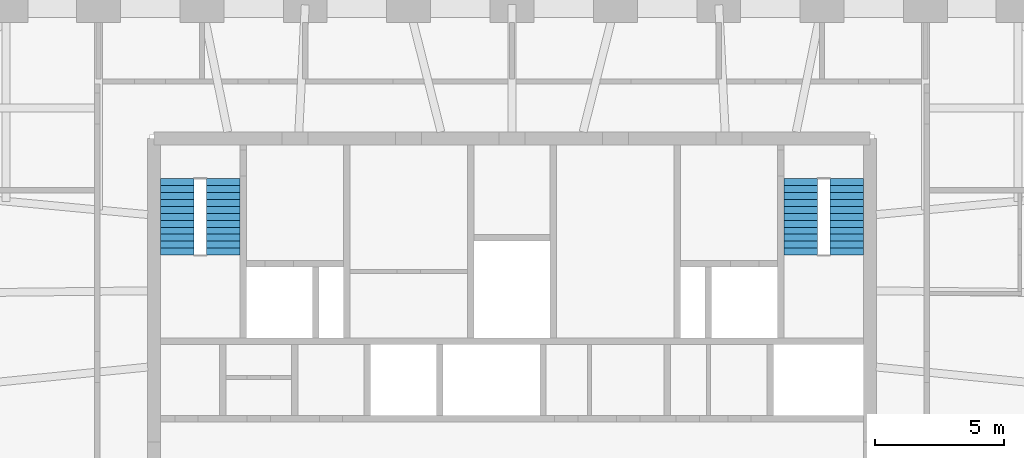
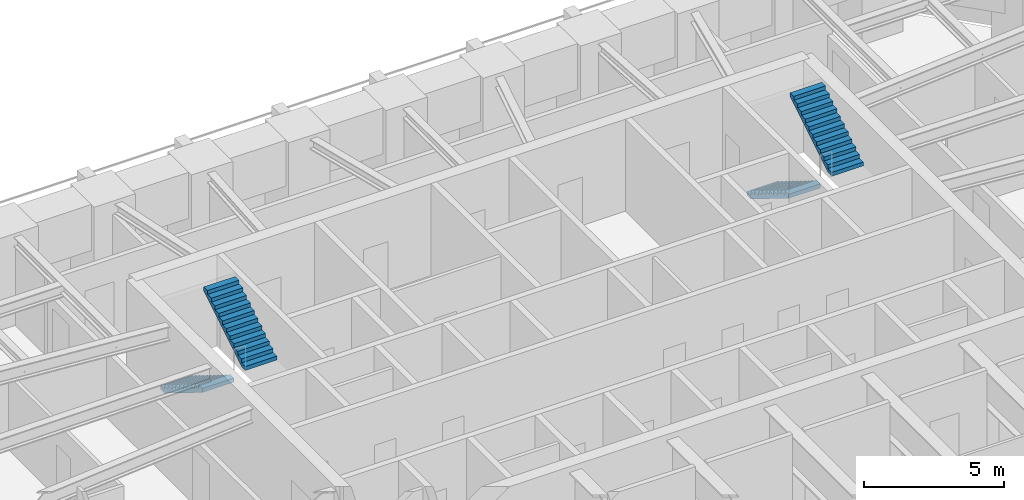
# One storey, part 9 of 12: 4 stair flights, 2 elements without a shape of their own.
"""IFC4 building model written with IfcOpenShell, lengths in metres."""

from ifc_helpers import new_model, si_unit, direction, frame, origin, place, context, subcontext, project, spatial, polyline, outline, extrude, material, type_object, element, aggregate, save


model = new_model("IFC4")

# Units and contexts
model_context = context("Model", 3, precision=1e-05, world=origin(), true_north=direction((0.0, 1.0)))
body_context = subcontext(model_context, "Body", "Model", "MODEL_VIEW")
ifc_project = project(units=[si_unit("LENGTHUNIT", "METRE"), si_unit("AREAUNIT", "SQUARE_METRE"), si_unit("VOLUMEUNIT", "CUBIC_METRE"), si_unit("PLANEANGLEUNIT", "RADIAN"), si_unit("MASSUNIT", "GRAM", prefix="KILO")], contexts=[model_context])

# Site, building, storey
site_placement = place(None, origin())
site = spatial("IfcSite", under=ifc_project, at=site_placement, CompositionType="ELEMENT")
building_placement = place(site_placement, origin())
building = spatial("IfcBuilding", under=site, at=building_placement, Name="Isbrekke Arena Tower", CompositionType="ELEMENT")
storey_placement = place(building_placement, frame((0.0, 0.0, 292.0)))
storey = spatial("IfcBuildingStorey", under=building, at=storey_placement, Name="L68", CompositionType="ELEMENT", Elevation=292.0)

# Stair, stair flights
ifc_material_1 = material(Name="Concrete B45 (C45/55) precast", Category="concrete")
stair_type = type_object("IfcStairType", Name="ST40 STAIR 1300 WIDE, 24 RISERS 167", PredefinedType="HALF_TURN_STAIR", material=ifc_material_1)
stair_1_placement = place(storey_placement, origin())
stair_1 = element("IfcStair", 1, at=stair_1_placement, inside=storey, type_object=stair_type, Name="ST1 stair L68", PredefinedType="HALF_TURN_STAIR")
ifc_material_2 = material(Name="Concrete B45 (C45/55) precast", Category="concrete")
stair_flight_type = type_object("IfcStairFlightType", Name="SF 1300 FLIGHT", PredefinedType="STRAIGHT", material=ifc_material_2)
stair_flight_1_placement = place(storey_placement, frame((-12.949951171875, 22.300048828125, 0.0), z_axis=(0.0, 0.0, 1.0), x_axis=(0.0, -1.0, 0.0)))
stair_flight_1 = element("IfcStairFlight", 2, at=stair_flight_1_placement, type_object=stair_flight_type, Name="ST1 flight 1", NumberOfRisers=12, NumberOfTreads=11, PredefinedType="STRAIGHT", RiserHeight=0.166666667, TreadLength=0.27, context=body_context, shape_type="SweptSolid", body=[
    extrude(outline(polyline([(0.0, 0.0), (0.0, 0.166748046875), (0.27001953125, 0.166748046875), (0.27001953125, 0.333251953125), (0.5400390625, 0.333251953125), (0.5400390625, 0.5), (0.81005859375, 0.5), (0.81005859375, 0.666748046875), (1.080078125, 0.666748046875), (1.080078125, 0.833251953125), (1.35009765625, 0.833251953125), (1.35009765625, 1.0), (1.6201171875, 1.0), (1.6201171875, 1.166748046875), (1.889892578125, 1.166748046875), (1.889892578125, 1.333251953125), (2.159912109375, 1.333251953125), (2.159912109375, 1.5), (2.429931640625, 1.5), (2.429931640625, 1.666748046875), (2.699951171875, 1.666748046875), (2.699951171875, 1.833251953125), (2.969970703125, 1.833251953125), (2.969970703125, 2.0), (2.969970703125, 1.6572265625), (0.285400390625, 0.0), (0.0, 0.0)])), frame((0.0, 0.64990234375, 0.0), z_axis=(0.0, -1.0, 0.0), x_axis=(1.0, 0.0, 0.0)), (0.0, 0.0, 1.0), 1.300048828125),
])
stair_flight_2_placement = place(storey_placement, frame((-11.175048828125, 19.330078125, 2.0), z_axis=(0.0, 0.0, 1.0), x_axis=(0.0, 1.0, 0.0)))
stair_flight_2 = element("IfcStairFlight", 3, at=stair_flight_2_placement, type_object=stair_flight_type, Name="ST1 flight 2", NumberOfRisers=12, NumberOfTreads=11, PredefinedType="STRAIGHT", RiserHeight=0.166666667, TreadLength=0.27, context=body_context, shape_type="SweptSolid", body=[
    extrude(outline(polyline([(0.0, 0.0), (0.0, 0.166748046875), (0.27001953125, 0.166748046875), (0.27001953125, 0.333251953125), (0.5400390625, 0.333251953125), (0.5400390625, 0.5), (0.81005859375, 0.5), (0.81005859375, 0.666748046875), (1.080078125, 0.666748046875), (1.080078125, 0.833251953125), (1.35009765625, 0.833251953125), (1.35009765625, 1.0), (1.6201171875, 1.0), (1.6201171875, 1.166748046875), (1.889892578125, 1.166748046875), (1.889892578125, 1.333251953125), (2.159912109375, 1.333251953125), (2.159912109375, 1.5), (2.429931640625, 1.5), (2.429931640625, 1.666748046875), (2.699951171875, 1.666748046875), (2.699951171875, 1.833251953125), (2.969970703125, 1.833251953125), (2.969970703125, 2.0), (2.969970703125, 1.6572265625), (0.285400390625, 0.0), (0.0, 0.0)])), frame((0.0, 0.64990234375, 0.0), z_axis=(0.0, -1.0, 0.0), x_axis=(1.0, 0.0, 0.0)), (0.0, 0.0, 1.0), 1.300048828125),
])
aggregate(stair_1, [stair_flight_1, stair_flight_2])

stair_2_placement = place(storey_placement, origin())
stair_2 = element("IfcStair", 4, at=stair_2_placement, inside=storey, type_object=stair_type, Name="ST2 stair L68", PredefinedType="HALF_TURN_STAIR")
stair_flight_3_placement = place(storey_placement, frame((11.175048828125, 22.300048828125, 0.0), z_axis=(0.0, 0.0, 1.0), x_axis=(0.0, -1.0, 0.0)))
stair_flight_3 = element("IfcStairFlight", 5, at=stair_flight_3_placement, type_object=stair_flight_type, Name="ST2 flight 1", NumberOfRisers=12, NumberOfTreads=11, PredefinedType="STRAIGHT", RiserHeight=0.166666667, TreadLength=0.27, context=body_context, shape_type="SweptSolid", body=[
    extrude(outline(polyline([(0.0, 0.0), (0.0, 0.166748046875), (0.27001953125, 0.166748046875), (0.27001953125, 0.333251953125), (0.5400390625, 0.333251953125), (0.5400390625, 0.5), (0.81005859375, 0.5), (0.81005859375, 0.666748046875), (1.080078125, 0.666748046875), (1.080078125, 0.833251953125), (1.35009765625, 0.833251953125), (1.35009765625, 1.0), (1.6201171875, 1.0), (1.6201171875, 1.166748046875), (1.889892578125, 1.166748046875), (1.889892578125, 1.333251953125), (2.159912109375, 1.333251953125), (2.159912109375, 1.5), (2.429931640625, 1.5), (2.429931640625, 1.666748046875), (2.699951171875, 1.666748046875), (2.699951171875, 1.833251953125), (2.969970703125, 1.833251953125), (2.969970703125, 2.0), (2.969970703125, 1.6572265625), (0.285400390625, 0.0), (0.0, 0.0)])), frame((0.0, 0.64990234375, 0.0), z_axis=(0.0, -1.0, 0.0), x_axis=(1.0, 0.0, 0.0)), (0.0, 0.0, 1.0), 1.300048828125),
])
stair_flight_4_placement = place(storey_placement, frame((12.949951171875, 19.330078125, 2.0), z_axis=(0.0, 0.0, 1.0), x_axis=(0.0, 1.0, 0.0)))
stair_flight_4 = element("IfcStairFlight", 6, at=stair_flight_4_placement, type_object=stair_flight_type, Name="ST2 flight 2", NumberOfRisers=12, NumberOfTreads=11, PredefinedType="STRAIGHT", RiserHeight=0.166666667, TreadLength=0.27, context=body_context, shape_type="SweptSolid", body=[
    extrude(outline(polyline([(0.0, 0.0), (0.0, 0.166748046875), (0.27001953125, 0.166748046875), (0.27001953125, 0.333251953125), (0.5400390625, 0.333251953125), (0.5400390625, 0.5), (0.81005859375, 0.5), (0.81005859375, 0.666748046875), (1.080078125, 0.666748046875), (1.080078125, 0.833251953125), (1.35009765625, 0.833251953125), (1.35009765625, 1.0), (1.6201171875, 1.0), (1.6201171875, 1.166748046875), (1.889892578125, 1.166748046875), (1.889892578125, 1.333251953125), (2.159912109375, 1.333251953125), (2.159912109375, 1.5), (2.429931640625, 1.5), (2.429931640625, 1.666748046875), (2.699951171875, 1.666748046875), (2.699951171875, 1.833251953125), (2.969970703125, 1.833251953125), (2.969970703125, 2.0), (2.969970703125, 1.6572265625), (0.285400390625, 0.0), (0.0, 0.0)])), frame((0.0, 0.64990234375, 0.0), z_axis=(0.0, -1.0, 0.0), x_axis=(1.0, 0.0, 0.0)), (0.0, 0.0, 1.0), 1.300048828125),
])
aggregate(stair_2, [stair_flight_3, stair_flight_4])

save(model, "model.ifc")
